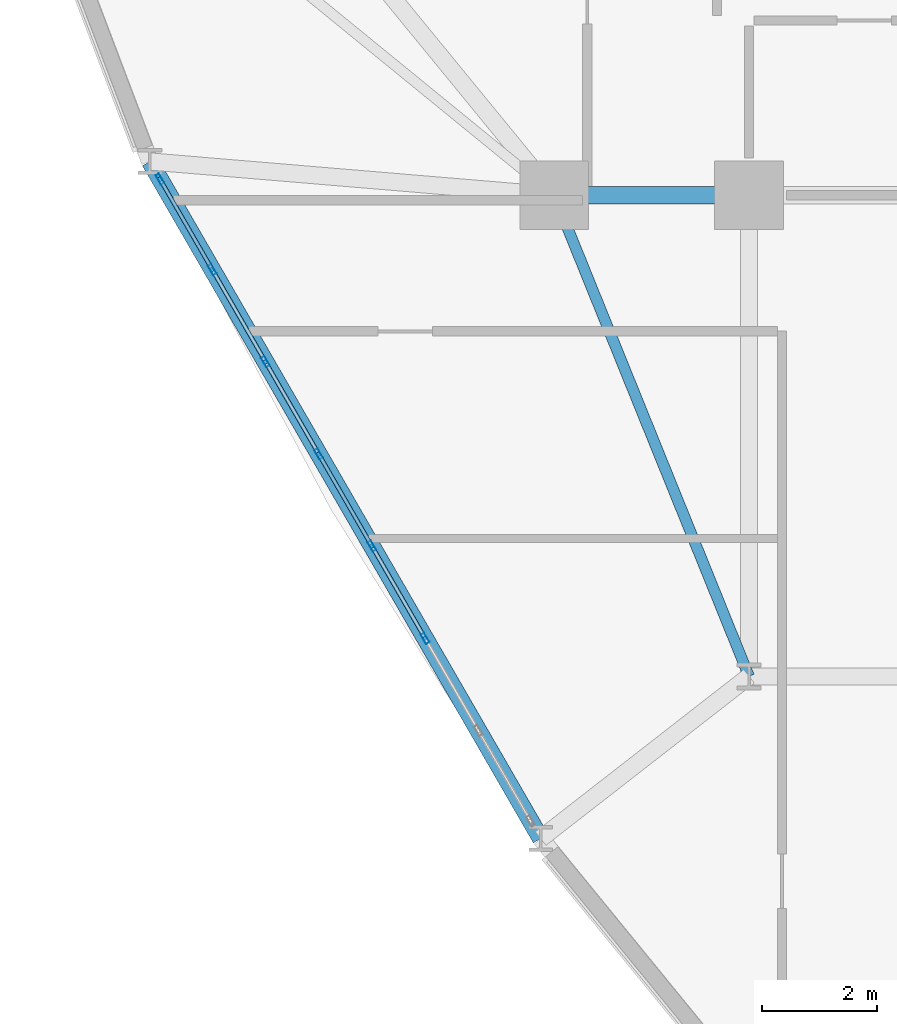
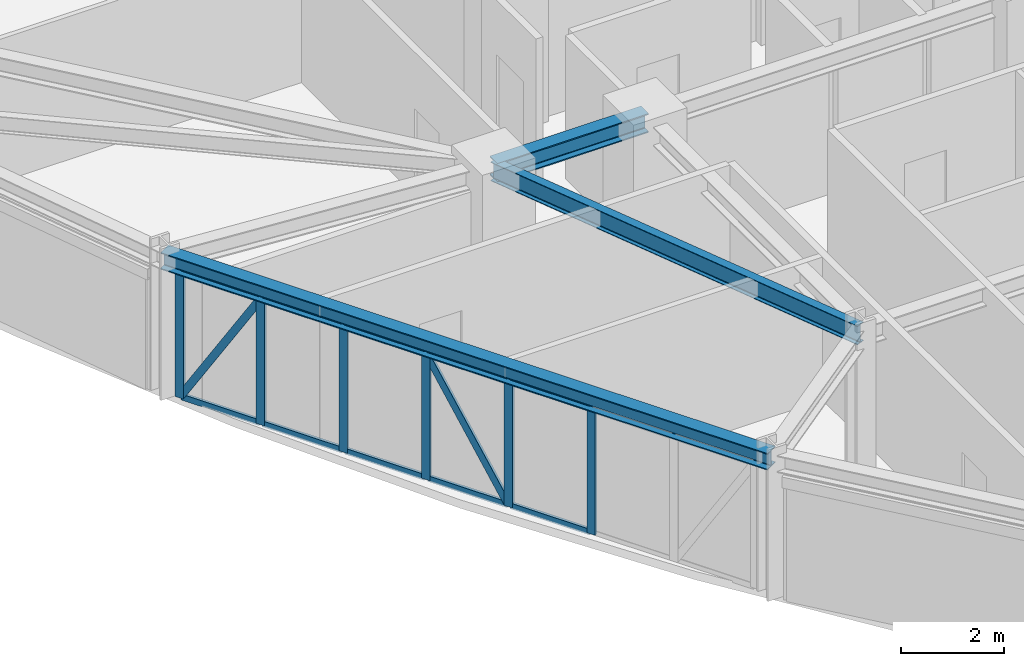
# One storey, part 4 of 17: 18 members, 3 beams, 1 element without a shape of its own.
"""IFC4 building model written with IfcOpenShell, lengths in metres."""

from ifc_helpers import new_model, si_unit, derived_unit, direction, frame, origin, origin_2d, place, context, subcontext, project, spatial, hollow_rectangle, i_section, extrude, source, transform, mapped, material, layer, layer_set, material_profile, profile_set, type_object, element, aggregate, save


model = new_model("IFC4")

# Units and contexts
model_context = context("Model", 3, precision=1e-05, world=origin(), true_north=direction((0.0, 1.0)))
body_context = subcontext(model_context, "Body", "Model", "MODEL_VIEW")
ifc_project = project(units=[si_unit("LENGTHUNIT", "METRE"), si_unit("AREAUNIT", "SQUARE_METRE"), si_unit("VOLUMEUNIT", "CUBIC_METRE"), si_unit("PLANEANGLEUNIT", "RADIAN"), si_unit("MASSUNIT", "GRAM", prefix="KILO"), derived_unit("THERMALTRANSMITTANCEUNIT", [(si_unit("POWERUNIT", "WATT"), 1), (si_unit("LENGTHUNIT", "METRE"), -2), (si_unit("THERMODYNAMICTEMPERATUREUNIT", "KELVIN"), -1)])], contexts=[model_context])

# Site, building, storey
site_placement = place(None, origin())
site = spatial("IfcSite", under=ifc_project, at=site_placement, CompositionType="ELEMENT")
building_placement = place(site_placement, origin())
building = spatial("IfcBuilding", under=site, at=building_placement, Name="Korsvarv Bourse and Concert Hall", CompositionType="ELEMENT")
storey_placement = place(building_placement, frame((0.0, 0.0, 124.199951171875)))
storey = spatial("IfcBuildingStorey", under=building, at=storey_placement, Name="L31", CompositionType="ELEMENT", Elevation=124.199951171875)

# Beams
ifc_material_1 = material(Name="Steel S355", Category="steel")
ifc_material_profile_1 = material_profile(ifc_material_1, i_section(OverallWidth=0.18994140625, OverallDepth=0.449951171875, WebThickness=0.009521484375, FlangeThickness=0.0146484375, FilletRadius=0.02099609375, at=origin_2d()), Name="IPE 450")
ifc_profile_set_1 = profile_set([ifc_material_profile_1], Name="Steel S355")
beam_type_1 = type_object("IfcBeamType", Name="BM-IPE450", PredefinedType="JOIST", material=ifc_profile_set_1)
shared_shape_1 = source(origin(), body_context, "Body", "SweptSolid", [
    extrude(i_section(OverallWidth=0.18994140625, OverallDepth=0.449951171875, WebThickness=0.009521484375, FlangeThickness=0.0146484375, FilletRadius=0.02099609375, at=origin_2d()), origin(), (0.0, 0.0, 1.0), 9.06201171875),
])
beam_1_placement = place(storey_placement, frame((24.199951171875, 32.39990234375, 3.175048828125), z_axis=(0.375210394783, -0.926939674222, 0.0), x_axis=(0.926939674222, 0.375210394783, 0.0)))
element("IfcBeam", 1, at=beam_1_placement, inside=storey, type_object=beam_type_1, Name="L31 beam J-04", PredefinedType="JOIST", context=body_context, shape_type="MappedRepresentation", body=[
    mapped(shared_shape_1, transform((0.0, 0.0, 0.0), scale=1.0)),
])
ifc_material_profile_2 = material_profile(ifc_material_1, i_section(OverallWidth=0.300048828125, OverallDepth=0.449951171875, WebThickness=0.013916015625, FlangeThickness=0.02587890625, FilletRadius=0.02099609375, at=origin_2d()), Name="HEB 450")
ifc_profile_set_2 = profile_set([ifc_material_profile_2], Name="Steel S355")
beam_type_2 = type_object("IfcBeamType", Name="BM-HEB450", PredefinedType="SPANDREL", material=ifc_profile_set_2)
shared_shape_2 = source(origin(), body_context, "Body", "SweptSolid", [
    extrude(i_section(OverallWidth=0.300048828125, OverallDepth=0.449951171875, WebThickness=0.013916015625, FlangeThickness=0.02587890625, FilletRadius=0.02099609375, at=origin_2d()), origin(), (0.0, 0.0, 1.0), 3.400146484375),
])
beam_2_placement = place(storey_placement, frame((24.199951171875, 32.39990234375, 3.175048828125), z_axis=(1.0, 0.0, 0.0), x_axis=(0.0, 1.0, 0.0)))
element("IfcBeam", 2, at=beam_2_placement, inside=storey, type_object=beam_type_2, Name="L31 beam B-08", PredefinedType="SPANDREL", context=body_context, shape_type="MappedRepresentation", body=[
    mapped(shared_shape_2, transform((0.0, 0.0, 0.0), scale=1.0)),
])
ifc_material_profile_3 = material_profile(ifc_material_1, i_section(OverallWidth=0.300048828125, OverallDepth=0.39990234375, WebThickness=0.013427734375, FlangeThickness=0.02392578125, FilletRadius=0.02099609375, at=origin_2d()), Name="HEB 400")
ifc_profile_set_3 = profile_set([ifc_material_profile_3], Name="Steel S355")
beam_type_3 = type_object("IfcBeamType", Name="BM-HEB400", PredefinedType="SPANDREL", material=ifc_profile_set_3)
shared_shape_3 = source(origin(), body_context, "Body", "SweptSolid", [
    extrude(i_section(OverallWidth=0.300048828125, OverallDepth=0.39990234375, WebThickness=0.013427734375, FlangeThickness=0.02392578125, FilletRadius=0.02099609375, at=origin_2d()), origin(), (0.0, 0.0, 1.0), 13.6533203125),
])
beam_3_placement = place(storey_placement, frame((17.1357421875, 32.991455078125, 3.199951171875), z_axis=(0.499996939111, -0.866027170982, 0.0), x_axis=(0.866027170982, 0.499996939111, 0.0)))
element("IfcBeam", 3, at=beam_3_placement, inside=storey, type_object=beam_type_3, Name="L31 beam B-09", PredefinedType="SPANDREL", context=body_context, shape_type="MappedRepresentation", body=[
    mapped(shared_shape_3, transform((0.0, 0.0, 0.0), scale=1.0)),
])

# Curtain wall, members
ifc_material_2 = material(Name="Anodised aluminium and triple low-E glazing", Category="glass")
ifc_layer = layer(ifc_material_2, 0.2099609375)
ifc_layer_set = layer_set([ifc_layer], Name="Anodised aluminium and triple low-E glazing")
curtain_wall_type = type_object("IfcCurtainWallType", Name="CW-SYS-2", PredefinedType="NOTDEFINED", material=ifc_layer_set)
curtain_wall_placement = place(storey_placement, origin())
curtain_wall = element("IfcCurtainWall", 4, at=curtain_wall_placement, inside=storey, type_object=curtain_wall_type, Name="L31 CW2 curtain wall CW-L31-F07", PredefinedType="NOTDEFINED")
ifc_material_3 = material(Name="Extruded aluminium EN AW-6063 T66", Category="aluminium")
ifc_material_profile_4 = material_profile(ifc_material_3, hollow_rectangle(XDim=0.070068359375, YDim=0.18994140625, WallThickness=0.0048828125, at=origin_2d()), Name="ALU-M 70x190")
ifc_profile_set_4 = profile_set([ifc_material_profile_4], Name="Extruded aluminium EN AW-6063 T66")
member_type_1 = type_object("IfcMemberType", Name="CWM-190", PredefinedType="MULLION", material=ifc_profile_set_4)
shared_shape_4 = source(origin(), body_context, "Body", "SweptSolid", [
    extrude(hollow_rectangle(XDim=0.070068359375, YDim=0.18994140625, WallThickness=0.0048828125, at=origin_2d()), origin(), (0.0, 0.0, 1.0), 3.0),
])
member_1_placement = place(storey_placement, frame((17.3134765625, 32.68359375, 0.0), z_axis=(0.0, 0.0, 1.0), x_axis=(0.866021265954, 0.500007166863, 0.0)))
member_1 = element("IfcMember", 5, at=member_1_placement, type_object=member_type_1, Name="CW2 mullion 1", PredefinedType="MULLION", context=body_context, shape_type="MappedRepresentation", body=[
    mapped(shared_shape_4, transform((0.0, 0.0, 0.0), scale=1.0)),
])
member_2_placement = place(storey_placement, frame((18.225341796875, 31.10400390625, 0.0), z_axis=(0.0, 0.0, 1.0), x_axis=(0.866021265954, 0.500007166863, 0.0)))
member_2 = element("IfcMember", 6, at=member_2_placement, type_object=member_type_1, Name="CW2 mullion 2", PredefinedType="MULLION", context=body_context, shape_type="MappedRepresentation", body=[
    mapped(shared_shape_4, transform((0.0, 0.0, 0.0), scale=1.0)),
])
member_3_placement = place(storey_placement, frame((19.15478515625, 29.494140625, 0.0), z_axis=(0.0, 0.0, 1.0), x_axis=(0.866021265954, 0.500007166863, 0.0)))
member_3 = element("IfcMember", 7, at=member_3_placement, type_object=member_type_1, Name="CW2 mullion 3", PredefinedType="MULLION", context=body_context, shape_type="MappedRepresentation", body=[
    mapped(shared_shape_4, transform((0.0, 0.0, 0.0), scale=1.0)),
])
member_4_placement = place(storey_placement, frame((20.08447265625, 27.88427734375, 0.0), z_axis=(0.0, 0.0, 1.0), x_axis=(0.866021265954, 0.500007166863, 0.0)))
member_4 = element("IfcMember", 8, at=member_4_placement, type_object=member_type_1, Name="CW2 mullion 4", PredefinedType="MULLION", context=body_context, shape_type="MappedRepresentation", body=[
    mapped(shared_shape_4, transform((0.0, 0.0, 0.0), scale=1.0)),
])
member_5_placement = place(storey_placement, frame((21.013916015625, 26.2744140625, 0.0), z_axis=(0.0, 0.0, 1.0), x_axis=(0.866021265954, 0.500007166863, 0.0)))
member_5 = element("IfcMember", 9, at=member_5_placement, type_object=member_type_1, Name="CW2 mullion 5", PredefinedType="MULLION", context=body_context, shape_type="MappedRepresentation", body=[
    mapped(shared_shape_4, transform((0.0, 0.0, 0.0), scale=1.0)),
])
member_6_placement = place(storey_placement, frame((21.943359375, 24.66455078125, 0.0), z_axis=(0.0, 0.0, 1.0), x_axis=(0.866021265954, 0.500007166863, 0.0)))
member_6 = element("IfcMember", 10, at=member_6_placement, type_object=member_type_1, Name="CW2 mullion 6", PredefinedType="MULLION", context=body_context, shape_type="MappedRepresentation", body=[
    mapped(shared_shape_4, transform((0.0, 0.0, 0.0), scale=1.0)),
])
ifc_material_profile_5 = material_profile(ifc_material_3, hollow_rectangle(XDim=0.06494140625, YDim=0.139892578125, WallThickness=0.00390625, at=origin_2d()), Name="ALU-T 65x140")
ifc_profile_set_5 = profile_set([ifc_material_profile_5], Name="Extruded aluminium EN AW-6063 T66")
member_type_2 = type_object("IfcMemberType", Name="CWT-140", PredefinedType="USERDEFINED", material=ifc_profile_set_5)
shared_shape_5 = source(origin(), body_context, "Body", "SweptSolid", [
    extrude(hollow_rectangle(XDim=0.06494140625, YDim=0.139892578125, WallThickness=0.00390625, at=origin_2d()), origin(), (0.0, 0.0, 1.0), 1.75390625),
])
member_7_placement = place(storey_placement, frame((17.330810546875, 32.6533203125, 0.032470703125), z_axis=(0.500031736301, -0.866007080047, 0.0), x_axis=(0.866007080047, 0.500031736301, 0.0)))
member_7 = element("IfcMember", 11, at=member_7_placement, type_object=member_type_2, Name="CW2 transom 1.1", ObjectType="TRANSOM", PredefinedType="USERDEFINED", context=body_context, shape_type="MappedRepresentation", body=[
    mapped(shared_shape_5, transform((0.0, 0.0, 0.0), scale=1.0)),
])
member_8_placement = place(storey_placement, frame((17.330810546875, 32.6533203125, 2.967529296875), z_axis=(0.500031736301, -0.866007080047, 0.0), x_axis=(0.866007080047, 0.500031736301, 0.0)))
member_8 = element("IfcMember", 12, at=member_8_placement, type_object=member_type_2, Name="CW2 transom 1.2", ObjectType="TRANSOM", PredefinedType="USERDEFINED", context=body_context, shape_type="MappedRepresentation", body=[
    mapped(shared_shape_5, transform((0.0, 0.0, 0.0), scale=1.0)),
])
shared_shape_6 = source(origin(), body_context, "Body", "SweptSolid", [
    extrude(hollow_rectangle(XDim=0.06494140625, YDim=0.139892578125, WallThickness=0.00390625, at=origin_2d()), origin(), (0.0, 0.0, 1.0), 1.788818359375),
])
member_9_placement = place(storey_placement, frame((18.242919921875, 31.07373046875, 0.032470703125), z_axis=(0.500072935515, -0.86598329035, 0.0), x_axis=(0.86598329035, 0.500072935515, 0.0)))
member_9 = element("IfcMember", 13, at=member_9_placement, type_object=member_type_2, Name="CW2 transom 2.1", ObjectType="TRANSOM", PredefinedType="USERDEFINED", context=body_context, shape_type="MappedRepresentation", body=[
    mapped(shared_shape_6, transform((0.0, 0.0, 0.0), scale=1.0)),
])
member_10_placement = place(storey_placement, frame((18.242919921875, 31.07373046875, 2.967529296875), z_axis=(0.500072935515, -0.86598329035, 0.0), x_axis=(0.86598329035, 0.500072935515, 0.0)))
member_10 = element("IfcMember", 14, at=member_10_placement, type_object=member_type_2, Name="CW2 transom 2.2", ObjectType="TRANSOM", PredefinedType="USERDEFINED", context=body_context, shape_type="MappedRepresentation", body=[
    mapped(shared_shape_6, transform((0.0, 0.0, 0.0), scale=1.0)),
])
shared_shape_7 = source(origin(), body_context, "Body", "SweptSolid", [
    extrude(hollow_rectangle(XDim=0.06494140625, YDim=0.139892578125, WallThickness=0.00390625, at=origin_2d()), origin(), (0.0, 0.0, 1.0), 1.7890625),
])
member_11_placement = place(storey_placement, frame((19.17236328125, 29.4638671875, 0.032470703125), z_axis=(0.500013836808, -0.866017414952, 0.0), x_axis=(0.866017414952, 0.500013836808, 0.0)))
member_11 = element("IfcMember", 15, at=member_11_placement, type_object=member_type_2, Name="CW2 transom 3.1", ObjectType="TRANSOM", PredefinedType="USERDEFINED", context=body_context, shape_type="MappedRepresentation", body=[
    mapped(shared_shape_7, transform((0.0, 0.0, 0.0), scale=1.0)),
])
member_12_placement = place(storey_placement, frame((19.17236328125, 29.4638671875, 2.967529296875), z_axis=(0.500013836808, -0.866017414952, 0.0), x_axis=(0.866017414952, 0.500013836808, 0.0)))
member_12 = element("IfcMember", 16, at=member_12_placement, type_object=member_type_2, Name="CW2 transom 3.2", ObjectType="TRANSOM", PredefinedType="USERDEFINED", context=body_context, shape_type="MappedRepresentation", body=[
    mapped(shared_shape_7, transform((0.0, 0.0, 0.0), scale=1.0)),
])
member_13_placement = place(storey_placement, frame((20.101806640625, 27.85400390625, 0.032470703125), z_axis=(0.500013836808, -0.866017414952, 0.0), x_axis=(0.866017414952, 0.500013836808, 0.0)))
member_13 = element("IfcMember", 17, at=member_13_placement, type_object=member_type_2, Name="CW2 transom 4.1", ObjectType="TRANSOM", PredefinedType="USERDEFINED", context=body_context, shape_type="MappedRepresentation", body=[
    mapped(shared_shape_7, transform((0.0, 0.0, 0.0), scale=1.0)),
])
member_14_placement = place(storey_placement, frame((20.101806640625, 27.85400390625, 2.967529296875), z_axis=(0.500013836808, -0.866017414952, 0.0), x_axis=(0.866017414952, 0.500013836808, 0.0)))
member_14 = element("IfcMember", 18, at=member_14_placement, type_object=member_type_2, Name="CW2 transom 4.2", ObjectType="TRANSOM", PredefinedType="USERDEFINED", context=body_context, shape_type="MappedRepresentation", body=[
    mapped(shared_shape_7, transform((0.0, 0.0, 0.0), scale=1.0)),
])
member_15_placement = place(storey_placement, frame((21.03125, 26.244140625, 0.032470703125), z_axis=(0.500013836808, -0.866017414952, 0.0), x_axis=(0.866017414952, 0.500013836808, 0.0)))
member_15 = element("IfcMember", 19, at=member_15_placement, type_object=member_type_2, Name="CW2 transom 5.1", ObjectType="TRANSOM", PredefinedType="USERDEFINED", context=body_context, shape_type="MappedRepresentation", body=[
    mapped(shared_shape_7, transform((0.0, 0.0, 0.0), scale=1.0)),
])
member_16_placement = place(storey_placement, frame((21.03125, 26.244140625, 2.967529296875), z_axis=(0.500013836808, -0.866017414952, 0.0), x_axis=(0.866017414952, 0.500013836808, 0.0)))
member_16 = element("IfcMember", 20, at=member_16_placement, type_object=member_type_2, Name="CW2 transom 5.2", ObjectType="TRANSOM", PredefinedType="USERDEFINED", context=body_context, shape_type="MappedRepresentation", body=[
    mapped(shared_shape_7, transform((0.0, 0.0, 0.0), scale=1.0)),
])
ifc_material_profile_6 = material_profile(ifc_material_3, hollow_rectangle(XDim=0.06494140625, YDim=0.1650390625, WallThickness=0.0048828125, at=origin_2d()), Name="ALU-M 65x165")
ifc_profile_set_6 = profile_set([ifc_material_profile_6], Name="Extruded aluminium EN AW-6063 T66")
member_type_3 = type_object("IfcMemberType", Name="CWM-165", PredefinedType="MULLION", material=ifc_profile_set_6)
shared_shape_8 = source(origin(), body_context, "Body", "SweptSolid", [
    extrude(hollow_rectangle(XDim=0.06494140625, YDim=0.1650390625, WallThickness=0.0048828125, at=origin_2d()), origin(), (0.0, 0.0, 1.0), 3.363525390625),
])
member_17_placement = place(storey_placement, frame((17.330810546875, 32.6533203125, 0.06494140625), z_axis=(0.260723631993, -0.451548361533, 0.853303735441), x_axis=(0.866007080047, 0.500031736301, 0.0)))
member_17 = element("IfcMember", 21, at=member_17_placement, type_object=member_type_3, Name="CW2 diagonal mullion 1", PredefinedType="MULLION", context=body_context, shape_type="MappedRepresentation", body=[
    mapped(shared_shape_8, transform((0.0, 0.0, 0.0), scale=1.0)),
])
shared_shape_9 = source(origin(), body_context, "Body", "SweptSolid", [
    extrude(hollow_rectangle(XDim=0.06494140625, YDim=0.1650390625, WallThickness=0.0048828125, at=origin_2d()), origin(), (0.0, 0.0, 1.0), 3.382080078125),
])
member_18_placement = place(storey_placement, frame((20.996337890625, 26.3046875, 0.06494140625), z_axis=(-0.264495209253, 0.458102237424, 0.848636921392), x_axis=(-0.866017414952, -0.500013836808, 0.0)))
member_18 = element("IfcMember", 22, at=member_18_placement, type_object=member_type_3, Name="CW2 diagonal mullion 4", PredefinedType="MULLION", context=body_context, shape_type="MappedRepresentation", body=[
    mapped(shared_shape_9, transform((0.0, 0.0, 0.0), scale=1.0)),
])
aggregate(curtain_wall, [member_1, member_2, member_3, member_4, member_5, member_6, member_7, member_8, member_17, member_9, member_10, member_11, member_12, member_13, member_14, member_18, member_15, member_16])

save(model, "model.ifc")
